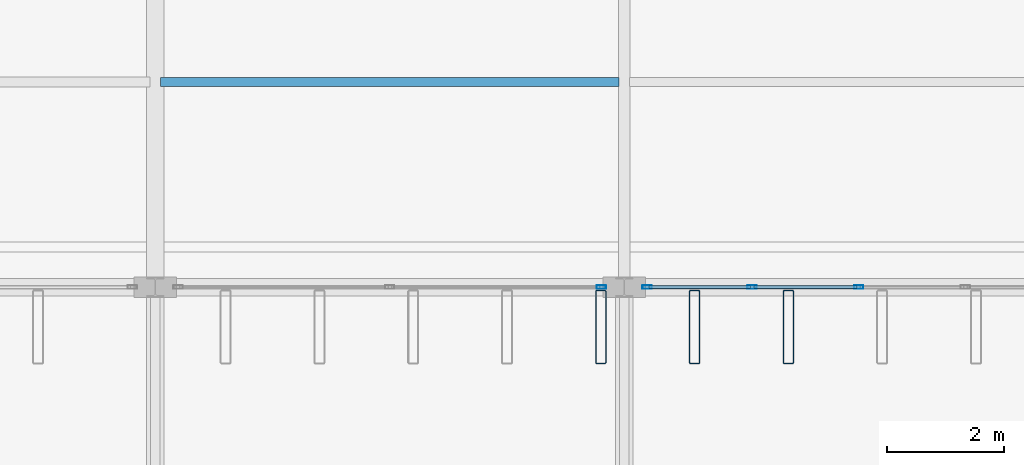
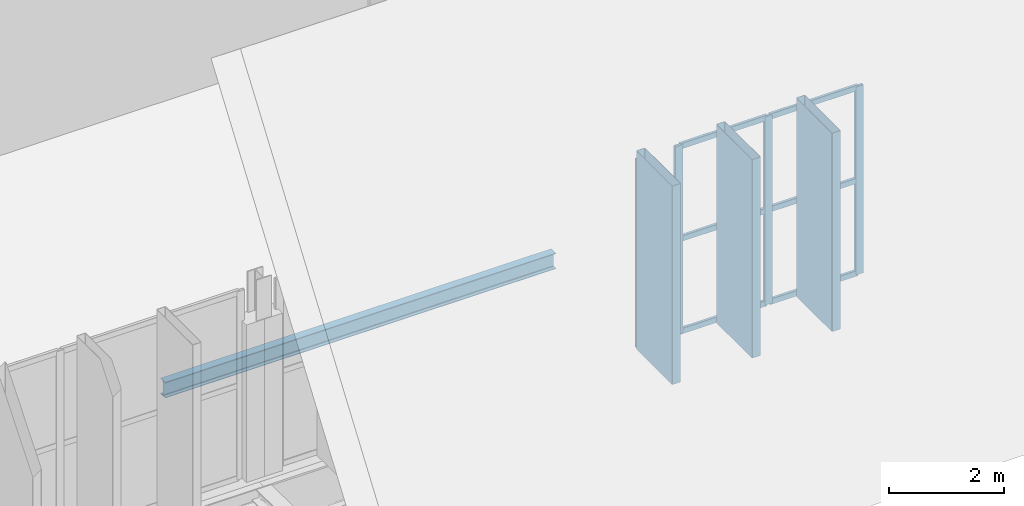
# One storey, part 37 of 93: 13 members, 1 beam, 2 elements without a shape of their own.
"""IFC4 building model written with IfcOpenShell, lengths in metres."""

from ifc_helpers import new_model, si_unit, direction, frame, origin, origin_2d, place, context, subcontext, project, spatial, hollow_rectangle, i_section, extrude, material, layer, layer_set, material_profile, profile_set, type_object, element, aggregate, save


model = new_model("IFC4")

# Units and contexts
model_context = context("Model", 3, precision=1e-05, world=origin(), true_north=direction((0.0, 1.0)))
body_context = subcontext(model_context, "Body", "Model", "MODEL_VIEW")
ifc_project = project(units=[si_unit("LENGTHUNIT", "METRE"), si_unit("AREAUNIT", "SQUARE_METRE"), si_unit("VOLUMEUNIT", "CUBIC_METRE"), si_unit("PLANEANGLEUNIT", "RADIAN"), si_unit("MASSUNIT", "GRAM", prefix="KILO")], contexts=[model_context])

# Site, building, storey
site_placement = place(None, origin())
site = spatial("IfcSite", under=ifc_project, at=site_placement, CompositionType="ELEMENT")
building_placement = place(site_placement, origin())
building = spatial("IfcBuilding", under=site, at=building_placement, Name="Vekula Escarpment Museum", CompositionType="ELEMENT")
storey_placement = place(building_placement, frame((0.0, 0.0, 22.199951171875)))
storey = spatial("IfcBuildingStorey", under=building, at=storey_placement, Name="L05", CompositionType="ELEMENT", Elevation=22.199951171875)

# Beam
ifc_material_1 = material(Name="Steel S355", Category="steel")
ifc_material_profile_1 = material_profile(ifc_material_1, i_section(OverallWidth=0.159912109375, OverallDepth=0.330078125, WebThickness=0.007568359375, FlangeThickness=0.011474609375, FilletRadius=0.01806640625, at=origin_2d()), Name="IPE 330")
ifc_profile_set_1 = profile_set([ifc_material_profile_1], Name="Steel S355")
beam_type = type_object("IfcBeamType", Name="BM-JST-IPE330", PredefinedType="JOIST", material=ifc_profile_set_1)
beam_placement = place(storey_placement, frame((110.090087890625, 49.10009765625, -0.385009765625), z_axis=(1.0, 0.0, 0.0), x_axis=(0.0, 1.0, 0.0)))
element("IfcBeam", 1, at=beam_placement, inside=storey, type_object=beam_type, Name="Secondary Joist L05 1366", PredefinedType="JOIST", context=body_context, shape_type="SweptSolid", body=[
    extrude(i_section(OverallWidth=0.159912109375, OverallDepth=0.330078125, WebThickness=0.007568359375, FlangeThickness=0.011474609375, FilletRadius=0.01806640625, at=origin_2d()), origin(), (0.0, 0.0, 1.0), 7.81982421875),
])

# Curtain wall, member
ifc_material_2 = material(Name="Aluminium thermally broken framing", Category="aluminium")
ifc_layer_1 = layer(ifc_material_2, 0.179931640625)
ifc_layer_set_1 = layer_set([ifc_layer_1], Name="Aluminium thermally broken framing")
curtain_wall_type_1 = type_object("IfcCurtainWallType", Name="CW-SYS-08", PredefinedType="NOTDEFINED", material=ifc_layer_set_1)
curtain_wall_1_placement = place(storey_placement, origin())
curtain_wall_1 = element("IfcCurtainWall", 2, at=curtain_wall_1_placement, inside=storey, type_object=curtain_wall_type_1, Name="Curtain Wall CW-L05-168", PredefinedType="NOTDEFINED")
ifc_material_3 = material(Name="Aluminium anodized mullion", Category="aluminium")
ifc_material_profile_2 = material_profile(ifc_material_3, hollow_rectangle(XDim=0.06005859375, YDim=0.159912109375, WallThickness=0.00390625, InnerFilletRadius=0.00390625, OuterFilletRadius=0.008056640625, at=origin_2d()), Name="ALU 160x60x4")
ifc_profile_set_2 = profile_set([ifc_material_profile_2], Name="Aluminium anodized mullion")
member_type_1 = type_object("IfcMemberType", Name="CW-MUL-160", PredefinedType="MULLION", material=ifc_profile_set_2)
member_1_placement = place(storey_placement, frame((117.610107421875, 45.60009765625, 0.0), z_axis=(0.0, 0.0, 1.0), x_axis=(0.0, 1.0, 0.0)))
member_1 = element("IfcMember", 3, at=member_1_placement, type_object=member_type_1, Name="CW-08 mullion 3", PredefinedType="MULLION", context=body_context, shape_type="SweptSolid", body=[
    extrude(hollow_rectangle(XDim=0.06005859375, YDim=0.159912109375, WallThickness=0.00390625, InnerFilletRadius=0.00390625, OuterFilletRadius=0.008056640625, at=origin_2d()), origin(), (0.0, 0.0, 1.0), 3.97998046875),
])
aggregate(curtain_wall_1, [member_1])

# Curtain wall, members
ifc_material_4 = material(Name="Aluminium thermally broken framing", Category="aluminium")
ifc_layer_2 = layer(ifc_material_4, 0.14990234375)
ifc_layer_set_2 = layer_set([ifc_layer_2], Name="Aluminium thermally broken framing")
curtain_wall_type_2 = type_object("IfcCurtainWallType", Name="CW-SYS-09", PredefinedType="NOTDEFINED", material=ifc_layer_set_2)
curtain_wall_2_placement = place(storey_placement, origin())
curtain_wall_2 = element("IfcCurtainWall", 4, at=curtain_wall_2_placement, inside=storey, type_object=curtain_wall_type_2, Name="Curtain Wall CW-L05-169", PredefinedType="NOTDEFINED")
member_2_placement = place(storey_placement, frame((118.389892578125, 45.60009765625, 0.0), z_axis=(0.0, 0.0, 1.0), x_axis=(0.0, 1.0, 0.0)))
member_2 = element("IfcMember", 5, at=member_2_placement, type_object=member_type_1, Name="CW-09 mullion 1", PredefinedType="MULLION", context=body_context, shape_type="SweptSolid", body=[
    extrude(hollow_rectangle(XDim=0.06005859375, YDim=0.159912109375, WallThickness=0.00390625, InnerFilletRadius=0.00390625, OuterFilletRadius=0.008056640625, at=origin_2d()), origin(), (0.0, 0.0, 1.0), 3.97998046875),
])
member_3_placement = place(storey_placement, frame((120.179931640625, 45.60009765625, 0.0), z_axis=(0.0, 0.0, 1.0), x_axis=(0.0, 1.0, 0.0)))
member_3 = element("IfcMember", 6, at=member_3_placement, type_object=member_type_1, Name="CW-09 mullion 2", PredefinedType="MULLION", context=body_context, shape_type="SweptSolid", body=[
    extrude(hollow_rectangle(XDim=0.06005859375, YDim=0.159912109375, WallThickness=0.00390625, InnerFilletRadius=0.00390625, OuterFilletRadius=0.008056640625, at=origin_2d()), origin(), (0.0, 0.0, 1.0), 3.97998046875),
])
member_4_placement = place(storey_placement, frame((122.0, 45.60009765625, 0.0), z_axis=(0.0, 0.0, 1.0), x_axis=(0.0, 1.0, 0.0)))
member_4 = element("IfcMember", 7, at=member_4_placement, type_object=member_type_1, Name="CW-09 mullion 3", PredefinedType="MULLION", context=body_context, shape_type="SweptSolid", body=[
    extrude(hollow_rectangle(XDim=0.06005859375, YDim=0.159912109375, WallThickness=0.00390625, InnerFilletRadius=0.00390625, OuterFilletRadius=0.008056640625, at=origin_2d()), origin(), (0.0, 0.0, 1.0), 3.97998046875),
])
ifc_material_5 = material(Name="Aluminium anodized transom", Category="aluminium")
ifc_material_profile_3 = material_profile(ifc_material_5, hollow_rectangle(XDim=0.06005859375, YDim=0.1201171875, WallThickness=0.00390625, InnerFilletRadius=0.00390625, OuterFilletRadius=0.008056640625, at=origin_2d()), Name="ALU 120x60x4")
ifc_profile_set_3 = profile_set([ifc_material_profile_3], Name="Aluminium anodized transom")
member_type_2 = type_object("IfcMemberType", Name="CW-TRN-120", PredefinedType="USERDEFINED", material=ifc_profile_set_3)
member_5_placement = place(storey_placement, frame((118.419921875, 45.60009765625, 0.030029296875), z_axis=(1.0, 0.0, 0.0), x_axis=(0.0, 1.0, 0.0)))
member_5 = element("IfcMember", 8, at=member_5_placement, type_object=member_type_2, Name="CW-09 transom 1.1", ObjectType="TRANSOM", PredefinedType="USERDEFINED", context=body_context, shape_type="SweptSolid", body=[
    extrude(hollow_rectangle(XDim=0.06005859375, YDim=0.1201171875, WallThickness=0.00390625, InnerFilletRadius=0.00390625, OuterFilletRadius=0.008056640625, at=origin_2d()), origin(), (0.0, 0.0, 1.0), 1.72998046875),
])
member_6_placement = place(storey_placement, frame((118.419921875, 45.60009765625, 1.989990234375), z_axis=(1.0, 0.0, 0.0), x_axis=(0.0, 1.0, 0.0)))
member_6 = element("IfcMember", 9, at=member_6_placement, type_object=member_type_2, Name="CW-09 transom 1.2", ObjectType="TRANSOM", PredefinedType="USERDEFINED", context=body_context, shape_type="SweptSolid", body=[
    extrude(hollow_rectangle(XDim=0.06005859375, YDim=0.1201171875, WallThickness=0.00390625, InnerFilletRadius=0.00390625, OuterFilletRadius=0.008056640625, at=origin_2d()), origin(), (0.0, 0.0, 1.0), 1.72998046875),
])
member_7_placement = place(storey_placement, frame((118.419921875, 45.60009765625, 3.949951171875), z_axis=(1.0, 0.0, 0.0), x_axis=(0.0, 1.0, 0.0)))
member_7 = element("IfcMember", 10, at=member_7_placement, type_object=member_type_2, Name="CW-09 transom 1.3", ObjectType="TRANSOM", PredefinedType="USERDEFINED", context=body_context, shape_type="SweptSolid", body=[
    extrude(hollow_rectangle(XDim=0.06005859375, YDim=0.1201171875, WallThickness=0.00390625, InnerFilletRadius=0.00390625, OuterFilletRadius=0.008056640625, at=origin_2d()), origin(), (0.0, 0.0, 1.0), 1.72998046875),
])
member_8_placement = place(storey_placement, frame((120.2099609375, 45.60009765625, 0.030029296875), z_axis=(1.0, 0.0, 0.0), x_axis=(0.0, 1.0, 0.0)))
member_8 = element("IfcMember", 11, at=member_8_placement, type_object=member_type_2, Name="CW-09 transom 2.1", ObjectType="TRANSOM", PredefinedType="USERDEFINED", context=body_context, shape_type="SweptSolid", body=[
    extrude(hollow_rectangle(XDim=0.06005859375, YDim=0.1201171875, WallThickness=0.00390625, InnerFilletRadius=0.00390625, OuterFilletRadius=0.008056640625, at=origin_2d()), origin(), (0.0, 0.0, 1.0), 1.760009765625),
])
member_9_placement = place(storey_placement, frame((120.2099609375, 45.60009765625, 1.989990234375), z_axis=(1.0, 0.0, 0.0), x_axis=(0.0, 1.0, 0.0)))
member_9 = element("IfcMember", 12, at=member_9_placement, type_object=member_type_2, Name="CW-09 transom 2.2", ObjectType="TRANSOM", PredefinedType="USERDEFINED", context=body_context, shape_type="SweptSolid", body=[
    extrude(hollow_rectangle(XDim=0.06005859375, YDim=0.1201171875, WallThickness=0.00390625, InnerFilletRadius=0.00390625, OuterFilletRadius=0.008056640625, at=origin_2d()), origin(), (0.0, 0.0, 1.0), 1.760009765625),
])
member_10_placement = place(storey_placement, frame((120.2099609375, 45.60009765625, 3.949951171875), z_axis=(1.0, 0.0, 0.0), x_axis=(0.0, 1.0, 0.0)))
member_10 = element("IfcMember", 13, at=member_10_placement, type_object=member_type_2, Name="CW-09 transom 2.3", ObjectType="TRANSOM", PredefinedType="USERDEFINED", context=body_context, shape_type="SweptSolid", body=[
    extrude(hollow_rectangle(XDim=0.06005859375, YDim=0.1201171875, WallThickness=0.00390625, InnerFilletRadius=0.00390625, OuterFilletRadius=0.008056640625, at=origin_2d()), origin(), (0.0, 0.0, 1.0), 1.760009765625),
])
aggregate(curtain_wall_2, [member_2, member_3, member_4, member_5, member_6, member_7, member_8, member_9, member_10])

# Members
ifc_material_6 = material(Name="Steel S355 weathered bronze solar fin", Category="steel")
ifc_material_profile_4 = material_profile(ifc_material_6, hollow_rectangle(XDim=0.179931640625, YDim=1.25, WallThickness=0.010009765625, InnerFilletRadius=0.010009765625, OuterFilletRadius=0.02001953125, at=origin_2d()), Name="RHS 1250x180x10")
ifc_profile_set_4 = profile_set([ifc_material_profile_4], Name="Steel S355 weathered bronze solar fin")
member_type_3 = type_object("IfcMemberType", Name="MB-SOLAR-FIN", PredefinedType="USERDEFINED", material=ifc_profile_set_4)
for number, where, z_axis, x_axis, name in (
    (14, (117.60009765625, 44.919921875, 0.0), (0.0, 0.0, 1.0), (1.0, 0.0, 0.0), "Great Hall Vertical Solar Fin 0110"),
    (15, (119.199951171875, 44.919921875, 0.0), (0.0, 0.0, 1.0), (1.0, 0.0, 0.0), "Great Hall Vertical Solar Fin 0115"),
    (16, (120.800048828125, 44.919921875, 0.0), (0.0, 0.0, 1.0), (1.0, 0.0, 0.0), "Great Hall Vertical Solar Fin 0120"),
):
    element("IfcMember", number, at=place(storey_placement, frame(where, z_axis=z_axis, x_axis=x_axis)), inside=storey, type_object=member_type_3, Name=name, ObjectType="SOLAR FIN", PredefinedType="USERDEFINED", context=body_context, shape_type="SweptSolid", body=[
        extrude(hollow_rectangle(XDim=0.179931640625, YDim=1.25, WallThickness=0.010009765625, InnerFilletRadius=0.010009765625, OuterFilletRadius=0.02001953125, at=origin_2d()), origin(), (0.0, 0.0, 1.0), 4.199951171875),
    ])

save(model, "model.ifc")
